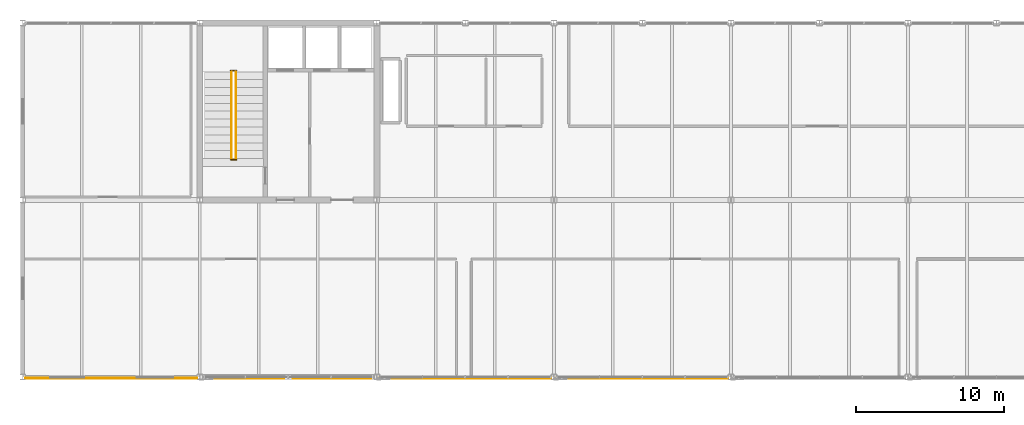
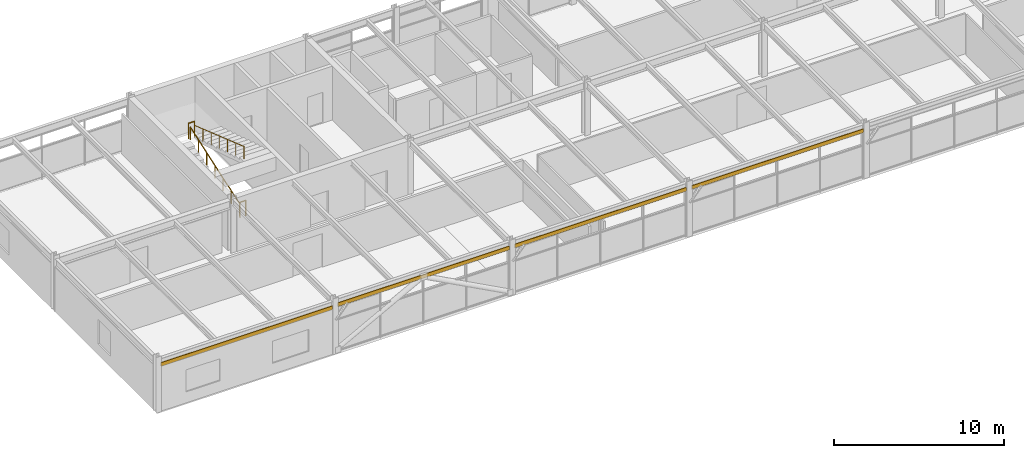
# One storey, part 39 of 40: 4 railings, 4 shading devices.
"""IFC4 building model written with IfcOpenShell, lengths in metres."""

from ifc_helpers import new_model, si_unit, direction, frame, origin, origin_2d, place, context, subcontext, project, spatial, rectangle, circle, extrude, material, layer, layer_set, type_object, element, save


model = new_model("IFC4")

# Units and contexts
model_context = context("Model", 3, precision=1e-05, world=origin(), true_north=direction((0.0, 1.0)))
body_context = subcontext(model_context, "Body", "Model", "MODEL_VIEW")
ifc_project = project(units=[si_unit("LENGTHUNIT", "METRE"), si_unit("AREAUNIT", "SQUARE_METRE"), si_unit("VOLUMEUNIT", "CUBIC_METRE"), si_unit("PLANEANGLEUNIT", "RADIAN"), si_unit("MASSUNIT", "GRAM", prefix="KILO")], contexts=[model_context])

# Site, building, storey
site_placement = place(None, origin())
site = spatial("IfcSite", under=ifc_project, at=site_placement, CompositionType="ELEMENT")
building_placement = place(site_placement, origin())
building = spatial("IfcBuilding", under=site, at=building_placement, Name="Girod Span Mobility Hub", CompositionType="ELEMENT")
storey_placement = place(building_placement, frame((0.0, 0.0, 57.60009765625)))
storey = spatial("IfcBuildingStorey", under=building, at=storey_placement, Name="L14", CompositionType="ELEMENT", Elevation=57.60009765625)

# Railings
ifc_material_1 = material(Name="Painted Galvanised Steel", Category="steel")
ifc_layer_1 = layer(ifc_material_1, 0.06494140625)
ifc_layer_set_1 = layer_set([ifc_layer_1], Name="Painted Galvanised Steel")
railing_type_1 = type_object("IfcRailingType", Name="RL-GRD-1120", PredefinedType="GUARDRAIL", material=ifc_layer_set_1)
for number, where, name in (
    (1, (50.10009765625, 65.77001953125, 2.0), "Stair ST-1 Half-Landing Well Guard L14"),
    (2, (50.10009765625, 59.72998046875, 0.0), "Stair ST-1 Landing Well Guard L14"),
):
    element("IfcRailing", number, at=place(storey_placement, frame(where)), inside=storey, type_object=railing_type_1, Name=name, PredefinedType="GUARDRAIL", context=body_context, shape_type="SweptSolid", body=[
        extrude(circle(Radius=0.02392578125, at=origin_2d()), frame((0.0, 0.0, 1.09619140625), z_axis=(1.0, 0.0, 0.0), x_axis=(0.0, 1.0, 0.0)), (0.0, 0.0, 1.0), 0.39990234375),
        extrude(circle(Radius=0.02099609375, at=origin_2d()), origin(), (0.0, 0.0, 1.0), 1.072021484375),
        extrude(circle(Radius=0.02099609375, at=origin_2d()), frame((0.39990234375, 0.0, 0.0)), (0.0, 0.0, 1.0), 1.072021484375),
    ])
ifc_material_2 = material(Name="Painted Galvanised Steel", Category="steel")
ifc_layer_2 = layer(ifc_material_2, 0.050048828125)
ifc_layer_set_2 = layer_set([ifc_layer_2], Name="Painted Galvanised Steel")
railing_type_2 = type_object("IfcRailingType", Name="RL-HR-920", PredefinedType="HANDRAIL", material=ifc_layer_set_2)
railing_1_placement = place(storey_placement, frame((50.14990234375, 59.860107421875, 0.0)))
element("IfcRailing", 3, at=railing_1_placement, inside=storey, type_object=railing_type_2, Name="Stair ST-1 Flight 1 Handrail L14", PredefinedType="HANDRAIL", context=body_context, shape_type="SweptSolid", body=[
    extrude(circle(Radius=0.02392578125, at=origin_2d()), frame((0.0, 0.0, 0.89599609375), z_axis=(0.0, 0.945021187488, 0.327009105681), x_axis=(-1.0, 0.0, 0.0)), (0.0, 0.0, 1.0), 6.115966796875),
    extrude(circle(Radius=0.02099609375, at=origin_2d()), origin(), (0.0, 0.0, 1.0), 0.871826171875),
    extrude(circle(Radius=0.02099609375, at=origin_2d()), frame((0.0, 0.96337890625, 0.333251953125)), (0.0, 0.0, 1.0), 0.871826171875),
    extrude(circle(Radius=0.02099609375, at=origin_2d()), frame((0.0, 1.926513671875, 0.666748046875)), (0.0, 0.0, 1.0), 0.871826171875),
    extrude(circle(Radius=0.02099609375, at=origin_2d()), frame((0.0, 2.889892578125, 1.0)), (0.0, 0.0, 1.0), 0.871826171875),
    extrude(circle(Radius=0.02099609375, at=origin_2d()), frame((0.0, 3.853271484375, 1.333251953125)), (0.0, 0.0, 1.0), 0.871826171875),
    extrude(circle(Radius=0.02099609375, at=origin_2d()), frame((0.0, 4.81640625, 1.666748046875)), (0.0, 0.0, 1.0), 0.871826171875),
    extrude(circle(Radius=0.02099609375, at=origin_2d()), frame((0.0, 5.77978515625, 2.0)), (0.0, 0.0, 1.0), 0.871826171875),
])
railing_2_placement = place(storey_placement, frame((50.449951171875, 65.639892578125, 2.0)))
element("IfcRailing", 4, at=railing_2_placement, inside=storey, type_object=railing_type_2, Name="Stair ST-1 Flight 2 Handrail L14", PredefinedType="HANDRAIL", context=body_context, shape_type="SweptSolid", body=[
    extrude(circle(Radius=0.02392578125, at=origin_2d()), frame((0.0, 0.0, 0.89599609375), z_axis=(0.0, -0.945021187488, 0.327009105681), x_axis=(1.0, 0.0, 0.0)), (0.0, 0.0, 1.0), 6.115966796875),
    extrude(circle(Radius=0.02099609375, at=origin_2d()), origin(), (0.0, 0.0, 1.0), 0.871826171875),
    extrude(circle(Radius=0.02099609375, at=origin_2d()), frame((0.0, -0.96337890625, 0.333251953125)), (0.0, 0.0, 1.0), 0.871826171875),
    extrude(circle(Radius=0.02099609375, at=origin_2d()), frame((0.0, -1.926513671875, 0.666748046875)), (0.0, 0.0, 1.0), 0.871826171875),
    extrude(circle(Radius=0.02099609375, at=origin_2d()), frame((0.0, -2.889892578125, 1.0)), (0.0, 0.0, 1.0), 0.871826171875),
    extrude(circle(Radius=0.02099609375, at=origin_2d()), frame((0.0, -3.853271484375, 1.333251953125)), (0.0, 0.0, 1.0), 0.871826171875),
    extrude(circle(Radius=0.02099609375, at=origin_2d()), frame((0.0, -4.81640625, 1.666748046875)), (0.0, 0.0, 1.0), 0.871826171875),
    extrude(circle(Radius=0.02099609375, at=origin_2d()), frame((0.0, -5.77978515625, 2.0)), (0.0, 0.0, 1.0), 0.871826171875),
])

# Shading devices
ifc_material_3 = material(Name="Aluminium 6063-T6", Category="aluminium")
ifc_layer_3 = layer(ifc_material_3, 0.0458984375)
ifc_layer_set_3 = layer_set([ifc_layer_3], Name="Aluminium 6063-T6")
shading_device_type = type_object("IfcShadingDeviceType", Name="SHD-SHT-11635X260X46", PredefinedType="SHUTTER", material=ifc_layer_set_3)
for number, where, z_axis, x_axis, name in (
    (5, (42.0, 44.919921875, 3.19580078125), (0.0, 0.0, 1.0), (1.0, 0.0, 0.0), "External Solar Shading Blade 4 L14"),
    (6, (54.0, 44.919921875, 3.2861328125), (0.0, 0.0, 1.0), (1.0, 0.0, 0.0), "External Solar Shading Blade 5 L14"),
    (7, (66.0, 44.919921875, 3.2861328125), (0.0, 0.0, 1.0), (1.0, 0.0, 0.0), "External Solar Shading Blade 6 L14"),
    (8, (78.0, 44.919921875, 3.2861328125), (0.0, 0.0, 1.0), (1.0, 0.0, 0.0), "External Solar Shading Blade 7 L14"),
):
    element("IfcShadingDevice", number, at=place(storey_placement, frame(where, z_axis=z_axis, x_axis=x_axis)), inside=storey, type_object=shading_device_type, Name=name, PredefinedType="SHUTTER", context=body_context, shape_type="SweptSolid", body=[
        extrude(rectangle(XDim=11.635009765625, YDim=0.0458984375, at=origin_2d()), origin(), (0.0, 0.0, 1.0), 0.260009765625),
    ])

save(model, "model.ifc")
